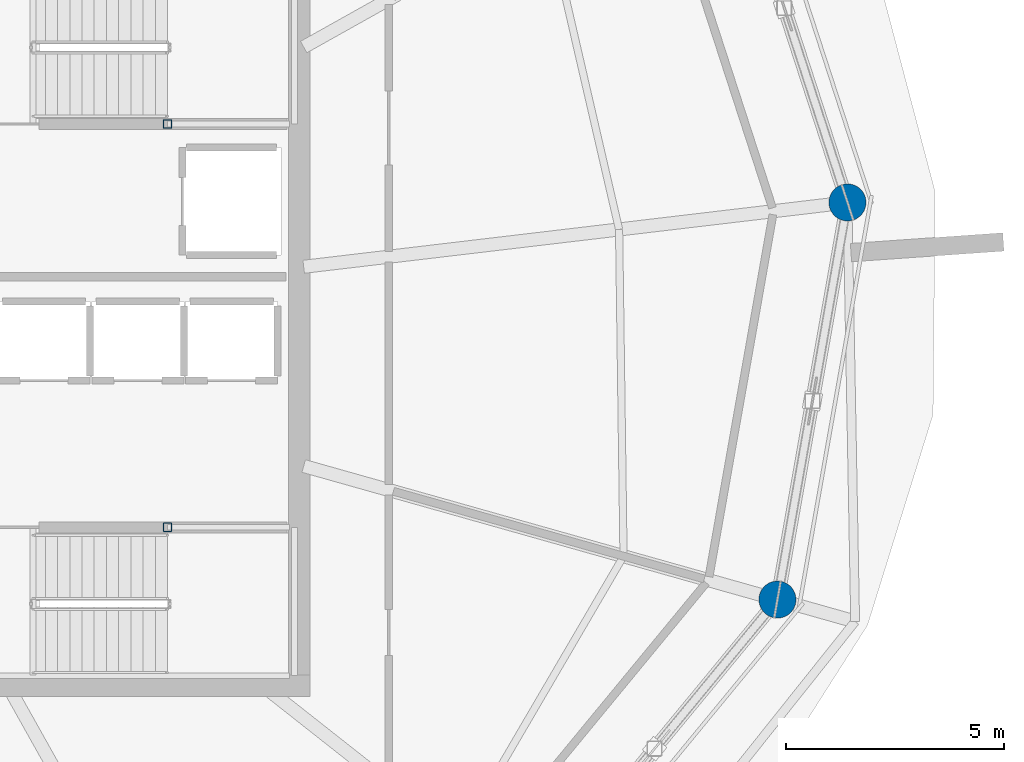
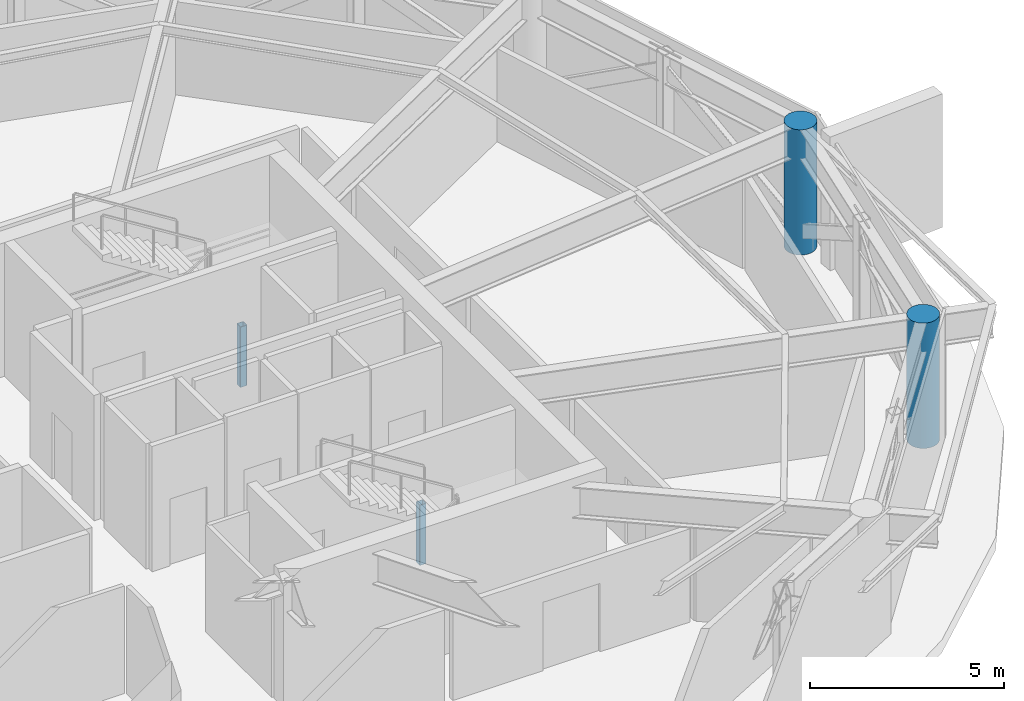
# One storey, part 3 of 14: 4 columns.
"""IFC4 building model written with IfcOpenShell, lengths in metres."""

import ifcopenshell
import ifcopenshell.guid

model = None  # the IFC model being written
_history = None  # IfcOwnerHistory: only IFC2X3 demands one
_inside = {}  # id of a spatial element -> (the spatial element, [elements in it])
_under = {}  # id of a project, library or spatial element -> (it, [spatial elements below it])
_declared = {}  # id of a project -> (the project, [libraries it declares])
_typed = {}  # id of a type object -> (the type object, [elements of that type])
_made_of = {}  # id of a material, layer set ... -> (it, [elements and type objects made of it])


def new_model(schema):
    """Start an empty IFC model of exactly this schema.

    Asked for "IFC4X3", IfcOpenShell would pick the latest addendum, in which some entities
    have other attributes; the version numbers below select the first issue.
    IFC2X3 requires an IfcOwnerHistory on every rooted entity: one is made here for all.
    """
    global model, _history
    if schema == "IFC4X3":
        model = ifcopenshell.file(schema_version=(4, 3, 0, 0))
    else:
        model = ifcopenshell.file(schema=schema)
    _inside.clear()
    _under.clear()
    _declared.clear()
    _typed.clear()
    _made_of.clear()
    _history = None
    if model.schema == "IFC2X3":
        org = make("IfcOrganization", Name="unknown")
        user = make(
            "IfcPersonAndOrganization",
            ThePerson=make("IfcPerson", FamilyName="unknown"),
            TheOrganization=org,
        )
        app = make(
            "IfcApplication",
            ApplicationDeveloper=org,
            Version="unknown",
            ApplicationFullName="unknown",
            ApplicationIdentifier="unknown",
        )
        _history = make(
            "IfcOwnerHistory",
            OwningUser=user,
            OwningApplication=app,
            ChangeAction="ADDED",
            CreationDate=0,
        )
    return model


def make(cls, **values):
    """One entity of the class cls with the attributes given. An attribute that is None is left unset."""
    return model.create_entity(
        cls, **{name: value for name, value in values.items() if value is not None}
    )


def rooted(cls, **values):
    """An entity with a GlobalId (a new one), such as an element, a storey or a relation."""
    return make(cls, GlobalId=ifcopenshell.guid.new(), OwnerHistory=_history, **values)


def si_unit(unit_type, name, prefix=None):
    """IfcSIUnit, for example si_unit("LENGTHUNIT", "METRE", prefix="MILLI")."""
    return make("IfcSIUnit", UnitType=unit_type, Prefix=prefix, Name=name)


def assignment(units):
    """IfcUnitAssignment: the units of a project."""
    return None if units is None else make("IfcUnitAssignment", Units=units)


def point(xyz):
    """IfcCartesianPoint."""
    return None if xyz is None else make("IfcCartesianPoint", Coordinates=xyz)


def direction(xyz):
    """IfcDirection."""
    return None if xyz is None else make("IfcDirection", DirectionRatios=xyz)


def frame(location, z_axis=None, x_axis=None):
    """IfcAxis2Placement3D, a coordinate frame: its origin and axes. An axis left out is left unset."""
    return make(
        "IfcAxis2Placement3D",
        Location=point(location),
        Axis=direction(z_axis),
        RefDirection=direction(x_axis),
    )


def frame_2d(location, x_axis=None):
    """IfcAxis2Placement2D, a coordinate frame in the plane: its origin and x axis."""
    return make(
        "IfcAxis2Placement2D", Location=point(location), RefDirection=direction(x_axis)
    )


def origin():
    """The frame at (0, 0, 0) with its axes left unset."""
    return frame((0.0, 0.0, 0.0))


def origin_2d():
    """The frame at (0, 0) in the plane with its x axis left unset."""
    return frame_2d((0.0, 0.0))


def place(relative_to, where):
    """IfcLocalPlacement: puts the frame where relative to a parent placement (None: the world)."""
    return make(
        "IfcLocalPlacement", PlacementRelTo=relative_to, RelativePlacement=where
    )


def context(
    kind, dimensions, precision=None, world=None, true_north=None, identifier=None
):
    """IfcGeometricRepresentationContext, for example the 3D "Model" context."""
    return make(
        "IfcGeometricRepresentationContext",
        ContextIdentifier=identifier,
        ContextType=kind,
        CoordinateSpaceDimension=dimensions,
        Precision=precision,
        WorldCoordinateSystem=world,
        TrueNorth=true_north,
    )


def subcontext(parent, identifier, kind, view, scale=None):
    """IfcGeometricRepresentationSubContext, for example "Body" below "Model"."""
    return make(
        "IfcGeometricRepresentationSubContext",
        ContextIdentifier=identifier,
        ContextType=kind,
        ParentContext=parent,
        TargetScale=scale,
        TargetView=view,
    )


def project(units=None, contexts=None):
    """IfcProject with its units and contexts."""
    return rooted(
        "IfcProject",
        Name="project",
        RepresentationContexts=contexts,
        UnitsInContext=assignment(units),
    )


def spatial(cls, under=None, at=None, **own):
    """A site, building, storey or space (cls), placed at a placement, below another one or the project."""
    s = rooted(cls, ObjectPlacement=at, **own)
    if under is not None:
        _under.setdefault(under.id(), (under, []))[1].append(s)
    return s


def profile(cls, at=None, kind="AREA", **sizes):
    """A parametric profile (cls). Its sizes go by their IFC names, for example OverallWidth=200.0."""
    return make(cls, ProfileType=kind, Position=at, **sizes)


def hollow_rectangle(**sizes):
    """IfcRectangleHollowProfileDef."""
    return profile("IfcRectangleHollowProfileDef", **sizes)


def circle(**sizes):
    """IfcCircleProfileDef."""
    return profile("IfcCircleProfileDef", **sizes)


def extrude(swept, where, along, depth):
    """IfcExtrudedAreaSolid: the profile swept, set in the frame where, extruded along a direction by depth."""
    return make(
        "IfcExtrudedAreaSolid",
        SweptArea=swept,
        Position=where,
        ExtrudedDirection=direction(along),
        Depth=depth,
    )


def shape(context_of_items, identifier, shape_type, items):
    """IfcShapeRepresentation: the items that make up one representation, for example the "Body"."""
    return make(
        "IfcShapeRepresentation",
        ContextOfItems=context_of_items,
        RepresentationIdentifier=identifier,
        RepresentationType=shape_type,
        Items=items,
    )


def material(Name=None, Category=None):
    """IfcMaterial."""
    return make("IfcMaterial", Name=Name, Category=Category)


def material_profile(
    of_material, cross_section, Name=None, Category=None, Priority=None
):
    """IfcMaterialProfile: a cross section and its material."""
    return make(
        "IfcMaterialProfile",
        Name=Name,
        Material=of_material,
        Profile=cross_section,
        Priority=Priority,
        Category=Category,
    )


def profile_set(profiles, Name=None, composite=None):
    """IfcMaterialProfileSet."""
    return make(
        "IfcMaterialProfileSet",
        Name=Name,
        MaterialProfiles=profiles,
        CompositeProfile=composite,
    )


def made_of(thing, what):
    """Note that an element or type object is made of a material, layer set ...; save() writes the relation."""
    if what is not None:
        _made_of.setdefault(what.id(), (what, []))[1].append(thing)
    return thing


def type_object(cls, material=None, **own):
    """A type object (cls), such as IfcWallType, which elements share."""
    return made_of(rooted(cls, **own), material)


def element(
    cls,
    number,
    at=None,
    inside=None,
    cuts=None,
    type_object=None,
    material=None,
    context=None,
    identifier="Body",
    shape_type=None,
    held_by="IfcProductDefinitionShape",
    body=None,
    shapes=None,
    **own,
):
    """One element of the class cls, such as IfcWall. Its Tag is "e" and its number.

    at: its placement. inside: the storey or other place that contains it. cuts: it is an
    opening in that element (IfcRelVoidsElement). A single representation is given by context,
    identifier, shape_type and body (its items); several are given by shapes. held_by: the class
    of the entity that holds the representations. save() writes the other relations.
    """
    e = rooted(cls, Tag="e%d" % number, ObjectPlacement=at, **own)
    if body is not None:
        shapes = [shape(context, identifier, shape_type, body)]
    if shapes is not None:
        e.Representation = make(held_by, Representations=shapes)
    if inside is not None:
        _inside.setdefault(inside.id(), (inside, []))[1].append(e)
    if cuts is not None:
        rooted(
            "IfcRelVoidsElement", RelatingBuildingElement=cuts, RelatedOpeningElement=e
        )
    if type_object is not None:
        _typed.setdefault(type_object.id(), (type_object, []))[1].append(e)
    return made_of(e, material)


def aggregate(whole, parts):
    """IfcRelAggregates: a whole, such as a stair, and the parts it consists of."""
    return rooted("IfcRelAggregates", RelatingObject=whole, RelatedObjects=parts)


def save(model, path):
    """Write the relations noted so far, then the file.

    IfcRelAggregates (storeys below a building ...), IfcRelContainedInSpatialStructure (elements
    in a storey), IfcRelDefinesByType, IfcRelAssociatesMaterial and IfcRelDeclares: one each for
    every whole, place, type object, material and project.
    """
    for whole, parts in _under.values():
        aggregate(whole, parts)
    for where, things in _inside.values():
        rooted(
            "IfcRelContainedInSpatialStructure",
            RelatedElements=things,
            RelatingStructure=where,
        )
    for kind, things in _typed.values():
        rooted("IfcRelDefinesByType", RelatedObjects=things, RelatingType=kind)
    for what, things in _made_of.values():
        rooted("IfcRelAssociatesMaterial", RelatedObjects=things, RelatingMaterial=what)
    for by, libraries in _declared.values():
        rooted("IfcRelDeclares", RelatingContext=by, RelatedDefinitions=libraries)
    model.write(path)


model = new_model("IFC4")

# Units and contexts
model_context = context("Model", 3, precision=1e-05, world=origin(), true_north=direction((0.0, 1.0)))
body_context = subcontext(model_context, "Body", "Model", "MODEL_VIEW")
ifc_project = project(units=[si_unit("LENGTHUNIT", "METRE"), si_unit("AREAUNIT", "SQUARE_METRE"), si_unit("VOLUMEUNIT", "CUBIC_METRE"), si_unit("PLANEANGLEUNIT", "RADIAN"), si_unit("MASSUNIT", "GRAM", prefix="KILO")], contexts=[model_context])

# Site, building, storey
site_placement = place(None, origin())
site = spatial("IfcSite", under=ifc_project, at=site_placement, CompositionType="ELEMENT")
building_placement = place(site_placement, origin())
building = spatial("IfcBuilding", under=site, at=building_placement, Name="Kazma Halo Residences", CompositionType="ELEMENT")
storey_placement = place(building_placement, frame((0.0, 0.0, 343.10009765625)))
storey = spatial("IfcBuildingStorey", under=building, at=storey_placement, Name="L86", CompositionType="ELEMENT", Elevation=343.10009765625)

# Columns
ifc_material_1 = material(Name="Steel S355", Category="steel")
ifc_material_profile_1 = material_profile(ifc_material_1, hollow_rectangle(XDim=0.199951171875, YDim=0.199951171875, WallThickness=0.010009765625, InnerFilletRadius=0.010009765625, OuterFilletRadius=0.02001953125, at=origin_2d()), Name="SHS200x200x10")
ifc_profile_set_1 = profile_set([ifc_material_profile_1], Name="Steel S355")
column_type_1 = type_object("IfcColumnType", Name="COL-LP-SHS200", PredefinedType="COLUMN", material=ifc_profile_set_1)
for number, where, z_axis, x_axis, name in (
    (1, (56.280029296875, 46.6201171875, 0.0), (0.0, 0.0, 1.0), (1.0, 0.0, 0.0), "L86 ST-02 landing pilaster 1"),
    (2, (56.280029296875, 37.3798828125, 0.0), (0.0, 0.0, 1.0), (1.0, 0.0, 0.0), "L86 ST-03 landing pilaster 1"),
):
    element("IfcColumn", number, at=place(storey_placement, frame(where, z_axis=z_axis, x_axis=x_axis)), inside=storey, type_object=column_type_1, Name=name, PredefinedType="COLUMN", context=body_context, shape_type="SweptSolid", body=[
        extrude(hollow_rectangle(XDim=0.199951171875, YDim=0.199951171875, WallThickness=0.010009765625, InnerFilletRadius=0.010009765625, OuterFilletRadius=0.02001953125, at=origin_2d()), origin(), (0.0, 0.0, 1.0), 1.89501953125),
    ])
ifc_material_2 = material(Name="Concrete C60/75", Category="concrete")
ifc_material_profile_2 = material_profile(ifc_material_2, circle(Radius=0.425048828125, at=origin_2d()), Name="CIRC850")
ifc_profile_set_2 = profile_set([ifc_material_profile_2], Name="Concrete C60/75")
column_type_2 = type_object("IfcColumnType", Name="COL-PERIM-850", PredefinedType="COLUMN", material=ifc_profile_set_2)
for number, where, z_axis, x_axis, name in (
    (3, (70.255615234375, 35.723388671875, 0.0), (0.0, 0.0, 1.0), (1.0, 0.0, 0.0), "L86 perimeter ring column P15"),
    (4, (71.8603515625, 44.82421875, 0.0), (0.0, 0.0, 1.0), (1.0, 0.0, 0.0), "L86 perimeter ring column P16"),
):
    element("IfcColumn", number, at=place(storey_placement, frame(where, z_axis=z_axis, x_axis=x_axis)), inside=storey, type_object=column_type_2, Name=name, PredefinedType="COLUMN", context=body_context, shape_type="SweptSolid", body=[
        extrude(circle(Radius=0.425048828125, at=origin_2d()), origin(), (0.0, 0.0, 1.0), 3.93994140625),
    ])

save(model, "model.ifc")
